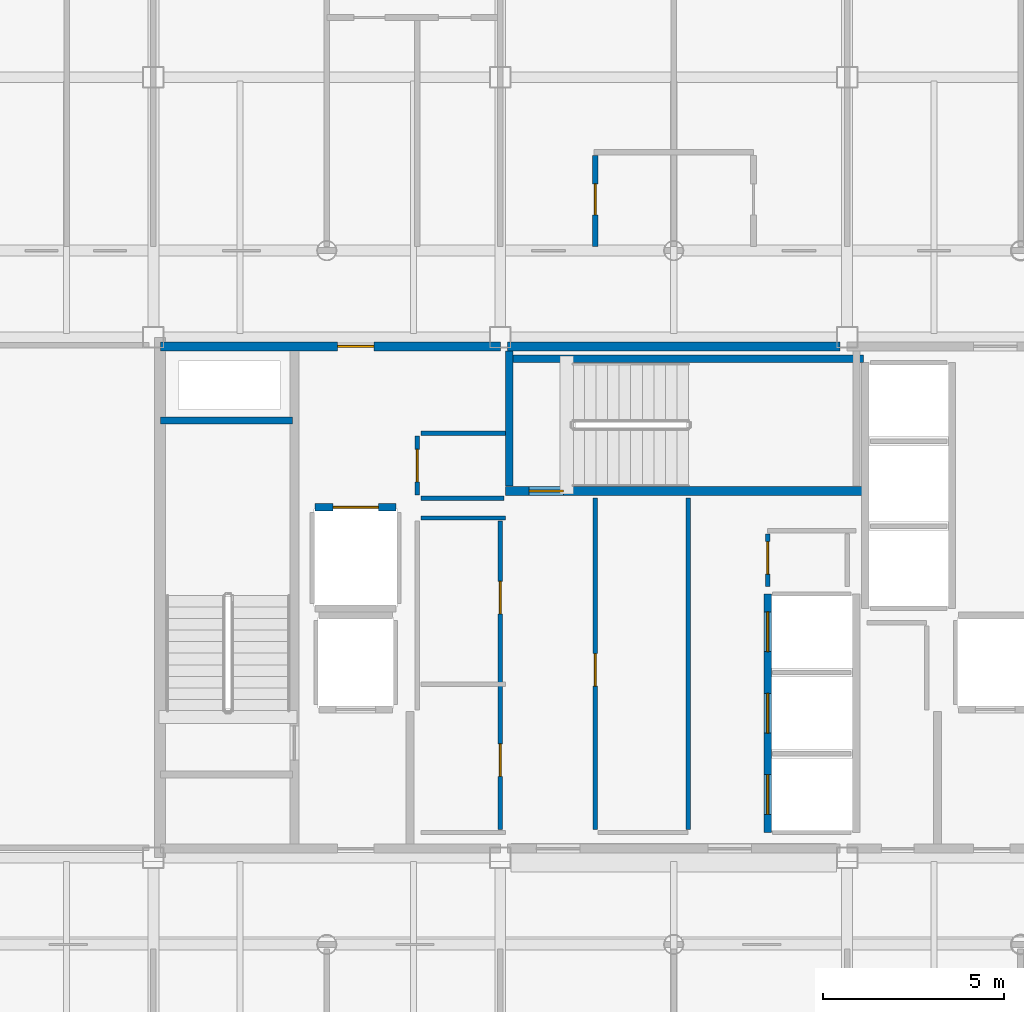
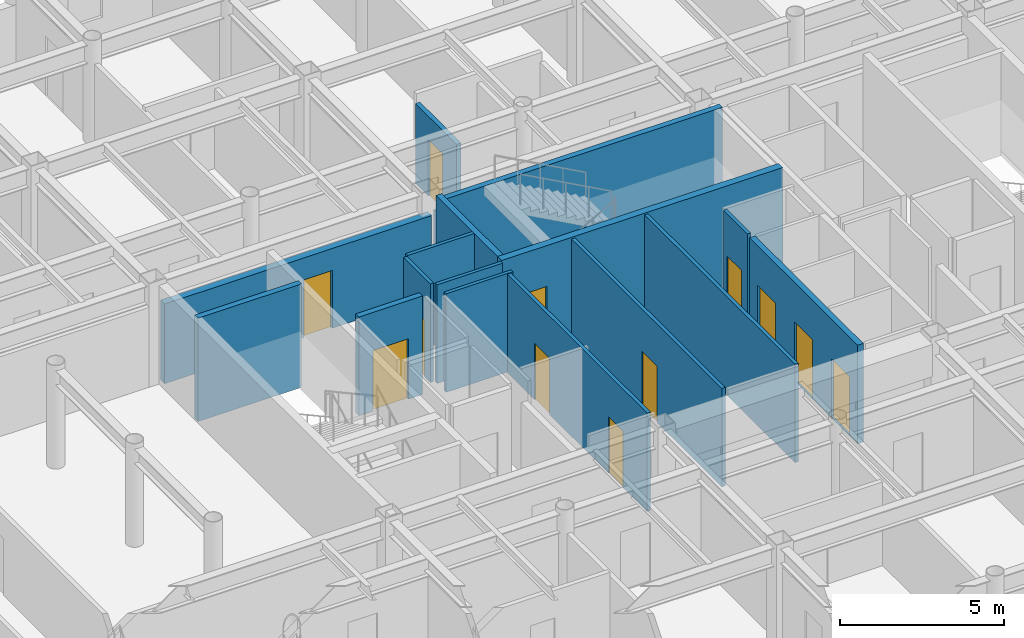
# One storey, part 19 of 24: 17 walls, 12 doors, 12 openings.
"""IFC4 building model written with IfcOpenShell, lengths in metres."""

from ifc_helpers import new_model, si_unit, direction, frame, frame_2d, origin, place, context, subcontext, project, spatial, rectangle, extrude, material, layer, layer_set, type_object, element, fill, save


model = new_model("IFC4")

# Units and contexts
model_context = context("Model", 3, precision=1e-05, world=origin(), true_north=direction((0.0, 1.0)))
body_context = subcontext(model_context, "Body", "Model", "MODEL_VIEW")
ifc_project = project(units=[si_unit("LENGTHUNIT", "METRE"), si_unit("AREAUNIT", "SQUARE_METRE"), si_unit("VOLUMEUNIT", "CUBIC_METRE"), si_unit("PLANEANGLEUNIT", "RADIAN"), si_unit("MASSUNIT", "GRAM", prefix="KILO")], contexts=[model_context])

# Site, building, storey
site_placement = place(None, origin())
site = spatial("IfcSite", under=ifc_project, at=site_placement, CompositionType="ELEMENT")
building_placement = place(site_placement, origin())
building = spatial("IfcBuilding", under=site, at=building_placement, Name="Kallvorn Hotel Tower", CompositionType="ELEMENT")
storey_placement = place(building_placement, frame((0.0, 0.0, 233.85009765625)))
storey = spatial("IfcBuildingStorey", under=building, at=storey_placement, Name="L58", CompositionType="ELEMENT", Elevation=233.85009765625)

# Wall, opening, door
ifc_material_1 = material(Name="Fire-rated double-layer acoustic gypsum drywall EI 60")
ifc_layer_1 = layer(ifc_material_1, 0.159912109375)
ifc_layer_set_1 = layer_set([ifc_layer_1], Name="WL_DEMISE_160")
wall_type_1 = type_object("IfcWallType", Name="WL_DEMISE_160", PredefinedType="PARTITIONING", material=ifc_layer_set_1)
wall_1_placement = place(storey_placement, frame((-2.17333984375, 9.719970703125, 0.0), z_axis=(0.0, 0.0, 1.0), x_axis=(0.0, 1.0, 0.0)))
wall_1 = element("IfcWall", 1, at=wall_1_placement, inside=storey, type_object=wall_type_1, Name="L58 Suite 5807 Standard King Room Partition", PredefinedType="PARTITIONING", context=body_context, shape_type="SweptSolid", body=[
    extrude(rectangle(XDim=2.51513671875, YDim=0.159912109375, at=frame_2d((1.257568359375, 0.0))), origin(), (0.0, 0.0, 1.0), 2.969970703125),
])
opening_1_placement = place(wall_1_placement, frame((0.8701171875, 0.0, 0.0)))
opening_1 = element("IfcOpeningElement", 2, at=opening_1_placement, cuts=wall_1, Name="Opening BD-I", PredefinedType="OPENING", context=body_context, shape_type="SweptSolid", body=[
    extrude(rectangle(XDim=0.860107421875, YDim=2.10009765625, at=frame_2d((0.43017578125, 1.050048828125))), frame((0.0, 0.094970703125, 0.0), z_axis=(0.0, -1.0, 0.0), x_axis=(1.0, 0.0, 0.0)), (0.0, 0.0, 1.0), 0.18994140625),
])
ifc_material_2 = material(Name="Solid-core walnut veneer fire-rated timber door leaf", Category="wood")
door_type_1 = type_object("IfcDoorType", Name="DR_BATH_860x2100", OperationType="NOTDEFINED", PredefinedType="DOOR", material=ifc_material_2)
door_1_placement = place(opening_1_placement, origin())
door_1 = element("IfcDoor", 3, at=door_1_placement, inside=storey, type_object=door_type_1, Name="L58 Suite 5807 En-Suite Bathroom Door", OperationType="SINGLE_SWING_RIGHT", OverallHeight=2.10009765625, OverallWidth=0.860107421875, PredefinedType="DOOR", context=body_context, shape_type="SweptSolid", body=[
    extrude(rectangle(XDim=0.860107421875, YDim=2.10009765625, at=frame_2d((0.43017578125, 1.050048828125))), frame((0.0, 0.02490234375, 0.0), z_axis=(0.0, -1.0, 0.0), x_axis=(1.0, 0.0, 0.0)), (0.0, 0.0, 1.0), 0.050048828125),
])
fill(opening_1, door_1)

# Walls
ifc_material_3 = material(Name="Concrete C40/50", Category="concrete")
ifc_layer_2 = layer(ifc_material_3, 0.199951171875)
ifc_layer_set_2 = layer_set([ifc_layer_2], Name="WL_HOIST_200")
wall_type_2 = type_object("IfcWallType", Name="WL_HOIST_200", PredefinedType="SOLIDWALL", material=ifc_layer_set_2)
wall_2_placement = place(storey_placement, frame((-14.199951171875, 4.89990234375, -0.18017578125), z_axis=(0.0, 0.0, 1.0), x_axis=(1.0, 0.0, 0.0)))
element("IfcWall", 4, at=wall_2_placement, inside=storey, type_object=wall_type_2, Name="L58 Stair ST1 North Wall", PredefinedType="SOLIDWALL", context=body_context, shape_type="SweptSolid", body=[
    extrude(rectangle(XDim=3.64990234375, YDim=0.199951171875, at=frame_2d((1.824951171875, 0.0))), origin(), (0.0, 0.0, 1.0), 3.85009765625),
])
wall_3_placement = place(storey_placement, frame((-4.64990234375, 6.610107421875, -0.18017578125), z_axis=(0.0, 0.0, 1.0), x_axis=(1.0, 0.0, 0.0)))
element("IfcWall", 5, at=wall_3_placement, inside=storey, type_object=wall_type_2, Name="L58 Stair ST3 Shaft North Wall", PredefinedType="SOLIDWALL", context=body_context, shape_type="SweptSolid", body=[
    extrude(rectangle(XDim=9.89990234375, YDim=0.199951171875, at=frame_2d((4.949951171875, 0.0))), origin(), (0.0, 0.0, 1.0), 3.85009765625),
])
wall_4_placement = place(storey_placement, frame((-4.550048828125, 3.080078125, -0.18017578125), z_axis=(0.0, 0.0, 1.0), x_axis=(0.0, 1.0, 0.0)))
element("IfcWall", 6, at=wall_4_placement, inside=storey, type_object=wall_type_2, Name="L58 Stair ST3 West Wall", PredefinedType="SOLIDWALL", context=body_context, shape_type="SweptSolid", body=[
    extrude(rectangle(XDim=3.739990234375, YDim=0.199951171875, at=frame_2d((1.8701171875, 0.0))), origin(), (0.0, 0.0, 1.0), 3.85009765625),
])

# Wall, openings, doors
wall_5_placement = place(storey_placement, frame((2.60009765625, -6.5, 0.0), z_axis=(0.0, 0.0, 1.0), x_axis=(0.0, 1.0, 0.0)))
wall_5 = element("IfcWall", 7, at=wall_5_placement, inside=storey, type_object=wall_type_2, Name="L58 Lift Bank B3A Landing Wall", PredefinedType="SOLIDWALL", context=body_context, shape_type="SweptSolid", body=[
    extrude(rectangle(XDim=6.60009765625, YDim=0.199951171875, at=frame_2d((3.300048828125, 0.0))), origin(), (0.0, 0.0, 1.0), 3.669921875),
])
opening_2_placement = place(wall_5_placement, frame((0.5, 0.0, 0.0)))
opening_2 = element("IfcOpeningElement", 8, at=opening_2_placement, cuts=wall_5, Name="Opening LD-PL-09", PredefinedType="OPENING", context=body_context, shape_type="SweptSolid", body=[
    extrude(rectangle(XDim=1.10009765625, YDim=2.199951171875, at=frame_2d((0.550048828125, 1.10009765625))), frame((0.0, 0.114990234375, 0.0), z_axis=(0.0, -1.0, 0.0), x_axis=(1.0, 0.0, 0.0)), (0.0, 0.0, 1.0), 0.22998046875),
])
opening_3_placement = place(wall_5_placement, frame((2.75, 0.0, 0.0)))
opening_3 = element("IfcOpeningElement", 9, at=opening_3_placement, cuts=wall_5, Name="Opening LD-PL-10", PredefinedType="OPENING", context=body_context, shape_type="SweptSolid", body=[
    extrude(rectangle(XDim=1.10009765625, YDim=2.199951171875, at=frame_2d((0.550048828125, 1.10009765625))), frame((0.0, 0.114990234375, 0.0), z_axis=(0.0, -1.0, 0.0), x_axis=(1.0, 0.0, 0.0)), (0.0, 0.0, 1.0), 0.22998046875),
])
opening_4_placement = place(wall_5_placement, frame((5.0, 0.0, 0.0)))
opening_4 = element("IfcOpeningElement", 10, at=opening_4_placement, cuts=wall_5, Name="Opening LD-PL-11", PredefinedType="OPENING", context=body_context, shape_type="SweptSolid", body=[
    extrude(rectangle(XDim=1.10009765625, YDim=2.199951171875, at=frame_2d((0.550048828125, 1.10009765625))), frame((0.0, 0.114990234375, 0.0), z_axis=(0.0, -1.0, 0.0), x_axis=(1.0, 0.0, 0.0)), (0.0, 0.0, 1.0), 0.22998046875),
])
ifc_material_4 = material(Name="Brushed stainless-steel automatic sliding lift landing door", Category="steel")
door_type_2 = type_object("IfcDoorType", Name="LD_PASS_1100x2200", OperationType="SLIDING_TO_LEFT", PredefinedType="DOOR", material=ifc_material_4)
door_2_placement = place(opening_2_placement, origin())
door_2 = element("IfcDoor", 11, at=door_2_placement, inside=storey, type_object=door_type_2, Name="L58 Lift Landing Sliding Door LD-PL-09", OperationType="SLIDING_TO_LEFT", OverallHeight=2.199951171875, OverallWidth=1.10009765625, PredefinedType="DOOR", context=body_context, shape_type="SweptSolid", body=[
    extrude(rectangle(XDim=1.10009765625, YDim=2.199951171875, at=frame_2d((0.550048828125, 1.10009765625))), frame((0.0, 0.02490234375, 0.0), z_axis=(0.0, -1.0, 0.0), x_axis=(1.0, 0.0, 0.0)), (0.0, 0.0, 1.0), 0.050048828125),
])
fill(opening_2, door_2)
door_3_placement = place(opening_3_placement, origin())
door_3 = element("IfcDoor", 12, at=door_3_placement, inside=storey, type_object=door_type_2, Name="L58 Lift Landing Sliding Door LD-PL-10", OperationType="SLIDING_TO_LEFT", OverallHeight=2.199951171875, OverallWidth=1.10009765625, PredefinedType="DOOR", context=body_context, shape_type="SweptSolid", body=[
    extrude(rectangle(XDim=1.10009765625, YDim=2.199951171875, at=frame_2d((0.550048828125, 1.10009765625))), frame((0.0, 0.02490234375, 0.0), z_axis=(0.0, -1.0, 0.0), x_axis=(1.0, 0.0, 0.0)), (0.0, 0.0, 1.0), 0.050048828125),
])
fill(opening_3, door_3)
door_4_placement = place(opening_4_placement, origin())
door_4 = element("IfcDoor", 13, at=door_4_placement, inside=storey, type_object=door_type_2, Name="L58 Lift Landing Sliding Door LD-PL-11", OperationType="SLIDING_TO_LEFT", OverallHeight=2.199951171875, OverallWidth=1.10009765625, PredefinedType="DOOR", context=body_context, shape_type="SweptSolid", body=[
    extrude(rectangle(XDim=1.10009765625, YDim=2.199951171875, at=frame_2d((0.550048828125, 1.10009765625))), frame((0.0, 0.02490234375, 0.0), z_axis=(0.0, -1.0, 0.0), x_axis=(1.0, 0.0, 0.0)), (0.0, 0.0, 1.0), 0.050048828125),
])
fill(opening_4, door_4)

# Wall, opening, door
wall_6_placement = place(storey_placement, frame((-9.919921875, 2.5, 0.0), z_axis=(0.0, 0.0, 1.0), x_axis=(1.0, 0.0, 0.0)))
wall_6 = element("IfcWall", 14, at=wall_6_placement, inside=storey, type_object=wall_type_2, Name="L58 SV-01 Landing Wall", PredefinedType="SOLIDWALL", context=body_context, shape_type="SweptSolid", body=[
    extrude(rectangle(XDim=2.239990234375, YDim=0.199951171875, at=frame_2d((1.1201171875, 0.0))), origin(), (0.0, 0.0, 1.0), 3.669921875),
])
opening_5_placement = place(wall_6_placement, frame((0.4951171875, 0.0, 0.0)))
opening_5 = element("IfcOpeningElement", 15, at=opening_5_placement, cuts=wall_6, Name="Opening LD-SV-01", PredefinedType="OPENING", context=body_context, shape_type="SweptSolid", body=[
    extrude(rectangle(XDim=1.25, YDim=2.25, at=frame_2d((0.625, 1.125))), frame((0.0, 0.114990234375, 0.0), z_axis=(0.0, -1.0, 0.0), x_axis=(1.0, 0.0, 0.0)), (0.0, 0.0, 1.0), 0.22998046875),
])
ifc_material_5 = material(Name="Brushed stainless-steel automatic sliding lift landing door", Category="steel")
door_type_3 = type_object("IfcDoorType", Name="LD_SERV_1250x2250", OperationType="SLIDING_TO_LEFT", PredefinedType="DOOR", material=ifc_material_5)
door_5_placement = place(opening_5_placement, origin())
door_5 = element("IfcDoor", 16, at=door_5_placement, inside=storey, type_object=door_type_3, Name="L58 Lift Landing Sliding Door LD-SV-01", OperationType="SLIDING_TO_LEFT", OverallHeight=2.25, OverallWidth=1.25, PredefinedType="DOOR", context=body_context, shape_type="SweptSolid", body=[
    extrude(rectangle(XDim=1.25, YDim=2.25, at=frame_2d((0.625, 1.125))), frame((0.0, 0.02490234375, 0.0), z_axis=(0.0, -1.0, 0.0), x_axis=(1.0, 0.0, 0.0)), (0.0, 0.0, 1.0), 0.050048828125),
])
fill(opening_5, door_5)

# Walls
ifc_material_6 = material(Name="Fire-rated double-layer acoustic gypsum drywall EI 60")
ifc_layer_3 = layer(ifc_material_6, 0.1201171875)
ifc_layer_set_3 = layer_set([ifc_layer_3], Name="WL_INT_120")
wall_type_3 = type_object("IfcWallType", Name="WL_INT_120", PredefinedType="PARTITIONING", material=ifc_layer_set_3)
wall_7_placement = place(storey_placement, frame((-7.0, 2.199951171875, 0.0), z_axis=(0.0, 0.0, 1.0), x_axis=(1.0, 0.0, 0.0)))
element("IfcWall", 17, at=wall_7_placement, inside=storey, type_object=wall_type_3, Name="L58 Recaptured Central Linen Store Partition", PredefinedType="PARTITIONING", context=body_context, shape_type="SweptSolid", body=[
    extrude(rectangle(XDim=2.35009765625, YDim=0.1201171875, at=frame_2d((1.175048828125, 0.0))), origin(), (0.0, 0.0, 1.0), 3.669921875),
])
wall_8_placement = place(storey_placement, frame((-7.0, 2.75, 0.0), z_axis=(0.0, 0.0, 1.0), x_axis=(1.0, 0.0, 0.0)))
element("IfcWall", 18, at=wall_8_placement, inside=storey, type_object=wall_type_3, Name="L58 Recaptured North Valet Closet Partition", PredefinedType="PARTITIONING", context=body_context, shape_type="SweptSolid", body=[
    extrude(rectangle(XDim=2.31005859375, YDim=0.1201171875, at=frame_2d((1.155029296875, 0.0))), origin(), (0.0, 0.0, 1.0), 3.669921875),
])
wall_9_placement = place(storey_placement, frame((-7.0, 4.550048828125, 0.0), z_axis=(0.0, 0.0, 1.0), x_axis=(1.0, 0.0, 0.0)))
element("IfcWall", 19, at=wall_9_placement, inside=storey, type_object=wall_type_3, Name="L58 Recaptured North Valet Closet Partition", PredefinedType="PARTITIONING", context=body_context, shape_type="SweptSolid", body=[
    extrude(rectangle(XDim=2.35009765625, YDim=0.1201171875, at=frame_2d((1.175048828125, 0.0))), origin(), (0.0, 0.0, 1.0), 3.669921875),
])

# Wall, opening, door
wall_10_placement = place(storey_placement, frame((-7.095947265625, 2.8349609375, 0.0), z_axis=(0.0, 0.0, 1.0), x_axis=(0.0, 1.0, 0.0)))
wall_10 = element("IfcWall", 20, at=wall_10_placement, inside=storey, type_object=wall_type_3, Name="L58 Recaptured North Valet Closet Partition", PredefinedType="PARTITIONING", context=body_context, shape_type="SweptSolid", body=[
    extrude(rectangle(XDim=1.630126953125, YDim=0.1201171875, at=frame_2d((0.81494140625, 0.0))), origin(), (0.0, 0.0, 1.0), 3.669921875),
])
opening_6_placement = place(wall_10_placement, frame((0.364990234375, 0.0, 0.0)))
opening_6 = element("IfcOpeningElement", 21, at=opening_6_placement, cuts=wall_10, Name="Opening SVD1", PredefinedType="OPENING", context=body_context, shape_type="SweptSolid", body=[
    extrude(rectangle(XDim=0.89990234375, YDim=2.10009765625, at=frame_2d((0.449951171875, 1.050048828125))), frame((0.0, 0.074951171875, 0.0), z_axis=(0.0, -1.0, 0.0), x_axis=(1.0, 0.0, 0.0)), (0.0, 0.0, 1.0), 0.150146484375),
])
ifc_material_7 = material(Name="Galvanised painted steel fire-rated door assembly", Category="steel")
door_type_4 = type_object("IfcDoorType", Name="DR_SERV_900x2100", OperationType="NOTDEFINED", PredefinedType="DOOR", material=ifc_material_7)
door_6_placement = place(opening_6_placement, origin())
door_6 = element("IfcDoor", 22, at=door_6_placement, inside=storey, type_object=door_type_4, Name="L58 Recaptured North Valet Closet Door", OperationType="SINGLE_SWING_LEFT", OverallHeight=2.10009765625, OverallWidth=0.89990234375, PredefinedType="DOOR", context=body_context, shape_type="SweptSolid", body=[
    extrude(rectangle(XDim=0.89990234375, YDim=2.10009765625, at=frame_2d((0.449951171875, 1.050048828125))), frame((0.0, 0.02490234375, 0.0), z_axis=(0.0, -1.0, 0.0), x_axis=(1.0, 0.0, 0.0)), (0.0, 0.0, 1.0), 0.050048828125),
])
fill(opening_6, door_6)

# Wall, openings, doors
wall_11_placement = place(storey_placement, frame((-4.800048828125, -6.4150390625, 0.0), z_axis=(0.0, 0.0, 1.0), x_axis=(0.0, 1.0, 0.0)))
wall_11 = element("IfcWall", 23, at=wall_11_placement, inside=storey, type_object=wall_type_3, Name="L58 Recaptured South Minibar Pantry Partition", PredefinedType="PARTITIONING", context=body_context, shape_type="SweptSolid", body=[
    extrude(rectangle(XDim=8.530029296875, YDim=0.1201171875, at=frame_2d((4.26513671875, 0.0))), origin(), (0.0, 0.0, 1.0), 3.669921875),
])
opening_7_placement = place(wall_11_placement, frame((1.465087890625, 0.0, 0.0)))
opening_7 = element("IfcOpeningElement", 24, at=opening_7_placement, cuts=wall_11, Name="Opening SVD1", PredefinedType="OPENING", context=body_context, shape_type="SweptSolid", body=[
    extrude(rectangle(XDim=0.89990234375, YDim=2.10009765625, at=frame_2d((0.449951171875, 1.050048828125))), frame((0.0, 0.074951171875, 0.0), z_axis=(0.0, -1.0, 0.0), x_axis=(1.0, 0.0, 0.0)), (0.0, 0.0, 1.0), 0.150146484375),
])
opening_8_placement = place(wall_11_placement, frame((5.965087890625, 0.0, 0.0)))
opening_8 = element("IfcOpeningElement", 25, at=opening_8_placement, cuts=wall_11, Name="Opening SVD1", PredefinedType="OPENING", context=body_context, shape_type="SweptSolid", body=[
    extrude(rectangle(XDim=0.89990234375, YDim=2.10009765625, at=frame_2d((0.449951171875, 1.050048828125))), frame((0.0, 0.074951171875, 0.0), z_axis=(0.0, -1.0, 0.0), x_axis=(1.0, 0.0, 0.0)), (0.0, 0.0, 1.0), 0.150146484375),
])
door_7_placement = place(opening_7_placement, origin())
door_7 = element("IfcDoor", 26, at=door_7_placement, inside=storey, type_object=door_type_4, Name="L58 Recaptured South Minibar Pantry Door", OperationType="SINGLE_SWING_RIGHT", OverallHeight=2.10009765625, OverallWidth=0.89990234375, PredefinedType="DOOR", context=body_context, shape_type="SweptSolid", body=[
    extrude(rectangle(XDim=0.89990234375, YDim=2.10009765625, at=frame_2d((0.449951171875, 1.050048828125))), frame((0.0, 0.02490234375, 0.0), z_axis=(0.0, -1.0, 0.0), x_axis=(1.0, 0.0, 0.0)), (0.0, 0.0, 1.0), 0.050048828125),
])
fill(opening_7, door_7)
door_8_placement = place(opening_8_placement, origin())
door_8 = element("IfcDoor", 27, at=door_8_placement, inside=storey, type_object=door_type_4, Name="L58 Recaptured Central Linen Store Door", OperationType="SINGLE_SWING_LEFT", OverallHeight=2.10009765625, OverallWidth=0.89990234375, PredefinedType="DOOR", context=body_context, shape_type="SweptSolid", body=[
    extrude(rectangle(XDim=0.89990234375, YDim=2.10009765625, at=frame_2d((0.449951171875, 1.050048828125))), frame((0.0, 0.02490234375, 0.0), z_axis=(0.0, -1.0, 0.0), x_axis=(1.0, 0.0, 0.0)), (0.0, 0.0, 1.0), 0.050048828125),
])
fill(opening_8, door_8)

# Wall, opening, door
wall_12_placement = place(storey_placement, frame((-2.17333984375, -6.4150390625, 0.0), z_axis=(0.0, 0.0, 1.0), x_axis=(0.0, 1.0, 0.0)))
wall_12 = element("IfcWall", 28, at=wall_12_placement, inside=storey, type_object=wall_type_3, Name="L58 Altitude Executive Pantry and Ice Room Partition", PredefinedType="PARTITIONING", context=body_context, shape_type="SweptSolid", body=[
    extrude(rectangle(XDim=9.1650390625, YDim=0.1201171875, at=frame_2d((4.58251953125, 0.0))), origin(), (0.0, 0.0, 1.0), 3.669921875),
])
opening_9_placement = place(wall_12_placement, frame((3.965087890625, 0.0, 0.0)))
opening_9 = element("IfcOpeningElement", 29, at=opening_9_placement, cuts=wall_12, Name="Opening SVD1", PredefinedType="OPENING", context=body_context, shape_type="SweptSolid", body=[
    extrude(rectangle(XDim=0.89990234375, YDim=2.10009765625, at=frame_2d((0.449951171875, 1.050048828125))), frame((0.0, 0.074951171875, 0.0), z_axis=(0.0, -1.0, 0.0), x_axis=(1.0, 0.0, 0.0)), (0.0, 0.0, 1.0), 0.150146484375),
])
door_9_placement = place(opening_9_placement, origin())
door_9 = element("IfcDoor", 30, at=door_9_placement, inside=storey, type_object=door_type_4, Name="L58 Altitude Executive Pantry and Ice Room Door", OperationType="SINGLE_SWING_RIGHT", OverallHeight=2.10009765625, OverallWidth=0.89990234375, PredefinedType="DOOR", context=body_context, shape_type="SweptSolid", body=[
    extrude(rectangle(XDim=0.89990234375, YDim=2.10009765625, at=frame_2d((0.449951171875, 1.050048828125))), frame((0.0, 0.02490234375, 0.0), z_axis=(0.0, -1.0, 0.0), x_axis=(1.0, 0.0, 0.0)), (0.0, 0.0, 1.0), 0.050048828125),
])
fill(opening_9, door_9)

# Wall
wall_13_placement = place(storey_placement, frame((0.39990234375, -6.4150390625, 0.0), z_axis=(0.0, 0.0, 1.0), x_axis=(0.0, 1.0, 0.0)))
element("IfcWall", 31, at=wall_13_placement, inside=storey, type_object=wall_type_3, Name="L58 Altitude Executive Pantry and Ice Room Partition", PredefinedType="PARTITIONING", context=body_context, shape_type="SweptSolid", body=[
    extrude(rectangle(XDim=9.1650390625, YDim=0.1201171875, at=frame_2d((4.58251953125, 0.0))), origin(), (0.0, 0.0, 1.0), 3.669921875),
])

# Wall, opening, door
wall_14_placement = place(storey_placement, frame((2.60009765625, 0.300048828125, 0.0), z_axis=(0.0, 0.0, 1.0), x_axis=(0.0, 1.0, 0.0)))
wall_14 = element("IfcWall", 32, at=wall_14_placement, inside=storey, type_object=wall_type_3, Name="L58 East Core Ice Pantry Partition", PredefinedType="PARTITIONING", context=body_context, shape_type="SweptSolid", body=[
    extrude(rectangle(XDim=1.46484375, YDim=0.1201171875, at=frame_2d((0.732421875, 0.0))), origin(), (0.0, 0.0, 1.0), 3.669921875),
])
opening_10_placement = place(wall_14_placement, frame((0.344970703125, 0.0, 0.0)))
opening_10 = element("IfcOpeningElement", 33, at=opening_10_placement, cuts=wall_14, Name="Opening SVD1", PredefinedType="OPENING", context=body_context, shape_type="SweptSolid", body=[
    extrude(rectangle(XDim=0.89990234375, YDim=2.10009765625, at=frame_2d((0.449951171875, 1.050048828125))), frame((0.0, 0.074951171875, 0.0), z_axis=(0.0, -1.0, 0.0), x_axis=(1.0, 0.0, 0.0)), (0.0, 0.0, 1.0), 0.150146484375),
])
door_10_placement = place(opening_10_placement, origin())
door_10 = element("IfcDoor", 34, at=door_10_placement, inside=storey, type_object=door_type_4, Name="L58 East Core Ice Pantry Door", OperationType="SINGLE_SWING_LEFT", OverallHeight=2.10009765625, OverallWidth=0.89990234375, PredefinedType="DOOR", context=body_context, shape_type="SweptSolid", body=[
    extrude(rectangle(XDim=0.89990234375, YDim=2.10009765625, at=frame_2d((0.449951171875, 1.050048828125))), frame((0.0, 0.02490234375, 0.0), z_axis=(0.0, -1.0, 0.0), x_axis=(1.0, 0.0, 0.0)), (0.0, 0.0, 1.0), 0.050048828125),
])
fill(opening_10, door_10)

ifc_material_8 = material(Name="Concrete C40/50", Category="concrete")
ifc_layer_4 = layer(ifc_material_8, 0.25)
ifc_layer_set_4 = layer_set([ifc_layer_4], Name="WL_SHAFT_250")
wall_type_4 = type_object("IfcWallType", Name="WL_SHAFT_250", PredefinedType="SOLIDWALL", material=ifc_layer_set_4)
wall_15_placement = place(storey_placement, frame((-14.199951171875, 6.949951171875, 0.0), z_axis=(0.0, 0.0, 1.0), x_axis=(1.0, 0.0, 0.0)))
wall_15 = element("IfcWall", 35, at=wall_15_placement, inside=storey, type_object=wall_type_4, Name="L58 Core North-West Wall", PredefinedType="SOLIDWALL", context=body_context, shape_type="SweptSolid", body=[
    extrude(rectangle(XDim=9.39990234375, YDim=0.25, at=frame_2d((4.699951171875, 0.0))), origin(), (0.0, 0.0, 1.0), 2.969970703125),
])
opening_11_placement = place(wall_15_placement, frame((4.89990234375, 0.0, 0.0)))
opening_11 = element("IfcOpeningElement", 36, at=opening_11_placement, cuts=wall_15, Name="Opening FD1", PredefinedType="OPENING", context=body_context, shape_type="SweptSolid", body=[
    extrude(rectangle(XDim=1.0, YDim=2.14990234375, at=frame_2d((0.5, 1.074951171875))), frame((0.0, 0.139892578125, 0.0), z_axis=(0.0, -1.0, 0.0), x_axis=(1.0, 0.0, 0.0)), (0.0, 0.0, 1.0), 0.280029296875),
])
ifc_material_9 = material(Name="Galvanised painted steel fire-rated door assembly", Category="steel")
door_type_5 = type_object("IfcDoorType", Name="DR_FFL_1000x2150", OperationType="NOTDEFINED", PredefinedType="DOOR", material=ifc_material_9)
door_11_placement = place(opening_11_placement, origin())
door_11 = element("IfcDoor", 37, at=door_11_placement, inside=storey, type_object=door_type_5, Name="L58 Service Lift Lobby Door", OperationType="SINGLE_SWING_LEFT", OverallHeight=2.14990234375, OverallWidth=1.0, PredefinedType="DOOR", context=body_context, shape_type="SweptSolid", body=[
    extrude(rectangle(XDim=1.0, YDim=2.14990234375, at=frame_2d((0.5, 1.074951171875))), frame((0.0, 0.02490234375, 0.0), z_axis=(0.0, -1.0, 0.0), x_axis=(1.0, 0.0, 0.0)), (0.0, 0.0, 1.0), 0.050048828125),
])
fill(opening_11, door_11)

# Wall
wall_16_placement = place(storey_placement, frame((-4.60009765625, 6.949951171875, 0.0), z_axis=(0.0, 0.0, 1.0), x_axis=(1.0, 0.0, 0.0)))
element("IfcWall", 38, at=wall_16_placement, inside=storey, type_object=wall_type_4, Name="L58 Core North-Central Wall", PredefinedType="SOLIDWALL", context=body_context, shape_type="SweptSolid", body=[
    extrude(rectangle(XDim=9.2001953125, YDim=0.25, at=frame_2d((4.60009765625, 0.0))), origin(), (0.0, 0.0, 1.0), 2.969970703125),
])

# Wall, opening, door
wall_17_placement = place(storey_placement, frame((-4.64990234375, 2.949951171875, -0.18017578125), z_axis=(0.0, 0.0, 1.0), x_axis=(1.0, 0.0, 0.0)))
wall_17 = element("IfcWall", 39, at=wall_17_placement, inside=storey, type_object=wall_type_4, Name="L58 Stair ST3 Shaft South Wall", PredefinedType="SOLIDWALL", context=body_context, shape_type="SweptSolid", body=[
    extrude(rectangle(XDim=9.89990234375, YDim=0.25, at=frame_2d((4.949951171875, 0.0))), origin(), (0.0, 0.0, 1.0), 3.85009765625),
])
opening_12_placement = place(wall_17_placement, frame((0.64990234375, 0.0, 0.179931640625)))
opening_12 = element("IfcOpeningElement", 40, at=opening_12_placement, cuts=wall_17, Name="Opening SD1", PredefinedType="OPENING", context=body_context, shape_type="SweptSolid", body=[
    extrude(rectangle(XDim=0.949951171875, YDim=2.14990234375, at=frame_2d((0.47509765625, 1.074951171875))), frame((0.0, 0.139892578125, 0.0), z_axis=(0.0, -1.0, 0.0), x_axis=(1.0, 0.0, 0.0)), (0.0, 0.0, 1.0), 0.280029296875),
])
ifc_material_10 = material(Name="Galvanised painted steel fire-rated door assembly", Category="steel")
door_type_6 = type_object("IfcDoorType", Name="DR_STAIR_950x2150", OperationType="NOTDEFINED", PredefinedType="DOOR", material=ifc_material_10)
door_12_placement = place(opening_12_placement, origin())
door_12 = element("IfcDoor", 41, at=door_12_placement, inside=storey, type_object=door_type_6, Name="L58 Exit Stair ST3 Fire Door", OperationType="SINGLE_SWING_LEFT", OverallHeight=2.14990234375, OverallWidth=0.949951171875, PredefinedType="DOOR", context=body_context, shape_type="SweptSolid", body=[
    extrude(rectangle(XDim=0.949951171875, YDim=2.14990234375, at=frame_2d((0.47509765625, 1.074951171875))), frame((0.0, 0.02490234375, 0.0), z_axis=(0.0, -1.0, 0.0), x_axis=(1.0, 0.0, 0.0)), (0.0, 0.0, 1.0), 0.050048828125),
])
fill(opening_12, door_12)

save(model, "model.ifc")
